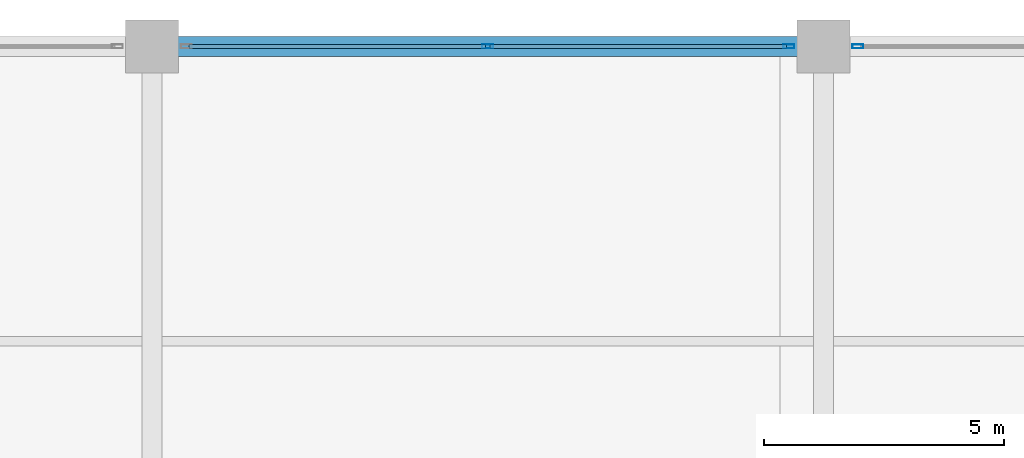
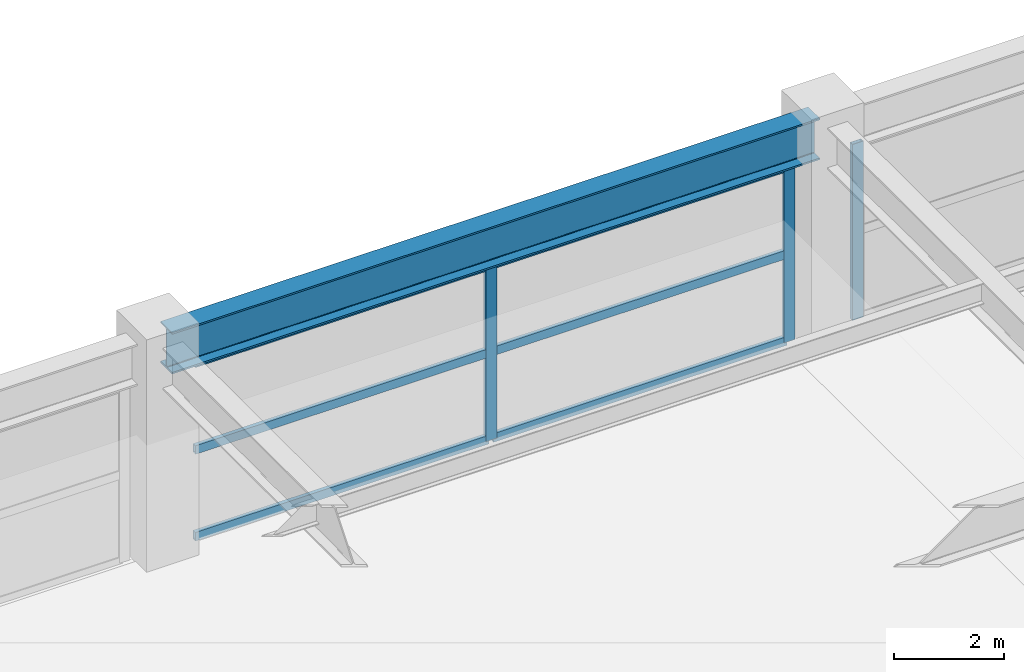
# One storey, part 27 of 35: 9 members, 1 beam, 2 elements without a shape of their own.
"""IFC4 building model written with IfcOpenShell, lengths in metres."""

from ifc_helpers import new_model, si_unit, direction, frame, origin, origin_2d, place, context, subcontext, project, spatial, hollow_rectangle, i_section, extrude, material, material_profile, profile_set, type_object, element, aggregate, save


model = new_model("IFC4")

# Units and contexts
model_context = context("Model", 3, precision=1e-05, world=origin(), true_north=direction((0.0, 1.0)))
body_context = subcontext(model_context, "Body", "Model", "MODEL_VIEW")
ifc_project = project(units=[si_unit("LENGTHUNIT", "METRE"), si_unit("AREAUNIT", "SQUARE_METRE"), si_unit("VOLUMEUNIT", "CUBIC_METRE"), si_unit("PLANEANGLEUNIT", "RADIAN"), si_unit("MASSUNIT", "GRAM", prefix="KILO")], contexts=[model_context])

# Site, building, storey
site_placement = place(None, origin())
site = spatial("IfcSite", under=ifc_project, at=site_placement, CompositionType="ELEMENT")
building_placement = place(site_placement, origin())
building = spatial("IfcBuilding", under=site, at=building_placement, Name="Kovane Verandah Tower", CompositionType="ELEMENT")
storey_placement = place(building_placement, frame((0.0, 0.0, 16.39990234375)))
storey = spatial("IfcBuildingStorey", under=building, at=storey_placement, Name="L03", CompositionType="ELEMENT", Elevation=16.39990234375)

# Beam
ifc_material_1 = material(Name="Steel S460", Category="steel")
ifc_material_profile_1 = material_profile(ifc_material_1, i_section(OverallWidth=0.42041015625, OverallDepth=0.9208984375, WebThickness=0.021484375, FlangeThickness=0.03662109375, FilletRadius=0.024169921875, at=origin_2d()), Name="UB914x419x388")
ifc_profile_set_1 = profile_set([ifc_material_profile_1], Name="Steel S460")
beam_type = type_object("IfcBeamType", Name="BM-UB914x388", PredefinedType="BEAM", material=ifc_profile_set_1)
beam_placement = place(storey_placement, frame((58.580078125, 56.5, 4.439697265625), z_axis=(1.0, 0.0, 0.0), x_axis=(0.0, 1.0, 0.0)))
element("IfcBeam", 1, at=beam_placement, inside=storey, type_object=beam_type, Name="L03 Podium Garden Transfer Girder X22", PredefinedType="BEAM", context=body_context, shape_type="SweptSolid", body=[
    extrude(i_section(OverallWidth=0.42041015625, OverallDepth=0.9208984375, WebThickness=0.021484375, FlangeThickness=0.03662109375, FilletRadius=0.024169921875, at=origin_2d()), origin(), (0.0, 0.0, 1.0), 13.639892578125),
])

# Curtain wall, members
ifc_material_2 = material(Name="Champagne Anodised Aluminium Frame with Low-E Clear Laminated Glass", Category="aluminium")
curtain_wall_type = type_object("IfcCurtainWallType", Name="CW-SYS-01-POD", PredefinedType="NOTDEFINED", material=ifc_material_2)
curtain_wall_1_placement = place(storey_placement, origin())
curtain_wall_1 = element("IfcCurtainWall", 2, at=curtain_wall_1_placement, inside=storey, type_object=curtain_wall_type, Name="L03 North Podium Curtain Wall Bay 6", PredefinedType="NOTDEFINED")
ifc_material_3 = material(Name="Champagne Anodised Aluminium 6063-T6", Category="aluminium")
ifc_material_profile_2 = material_profile(ifc_material_3, hollow_rectangle(XDim=0.0849609375, YDim=0.22998046875, WallThickness=0.00390625, at=origin_2d()), Name="AL85x230x4")
ifc_profile_set_2 = profile_set([ifc_material_profile_2], Name="Champagne Anodised Aluminium 6063-T6")
member_type_1 = type_object("IfcMemberType", Name="CW-MUL-85x230", PredefinedType="MULLION", material=ifc_profile_set_2)
member_1_placement = place(storey_placement, frame((71.679931640625, 56.5, 0.02001953125), z_axis=(0.0, 0.0, 1.0), x_axis=(0.0, 1.0, 0.0)))
member_1 = element("IfcMember", 3, at=member_1_placement, type_object=member_type_1, Name="L03 North Podium Curtain Wall Bay 6 Mullion 1", PredefinedType="MULLION", context=body_context, shape_type="SweptSolid", body=[
    extrude(hollow_rectangle(XDim=0.0849609375, YDim=0.22998046875, WallThickness=0.00390625, at=origin_2d()), origin(), (0.0, 0.0, 1.0), 3.919189453125),
])
member_2_placement = place(storey_placement, frame((65.39990234375, 56.5, 0.02001953125), z_axis=(0.0, 0.0, 1.0), x_axis=(0.0, 1.0, 0.0)))
member_2 = element("IfcMember", 4, at=member_2_placement, type_object=member_type_1, Name="L03 North Podium Curtain Wall Bay 6 Mullion 2", PredefinedType="MULLION", context=body_context, shape_type="SweptSolid", body=[
    extrude(hollow_rectangle(XDim=0.0849609375, YDim=0.22998046875, WallThickness=0.00390625, at=origin_2d()), origin(), (0.0, 0.0, 1.0), 3.919189453125),
])

# Curtain wall, member
curtain_wall_2_placement = place(storey_placement, origin())
curtain_wall_2 = element("IfcCurtainWall", 5, at=curtain_wall_2_placement, inside=storey, type_object=curtain_wall_type, Name="L03 North Podium Curtain Wall Bay 7", PredefinedType="NOTDEFINED")
member_3_placement = place(storey_placement, frame((73.1201171875, 56.5, 0.02001953125), z_axis=(0.0, 0.0, 1.0), x_axis=(0.0, 1.0, 0.0)))
member_3 = element("IfcMember", 6, at=member_3_placement, type_object=member_type_1, Name="L03 North Podium Curtain Wall Bay 7 Mullion 2", PredefinedType="MULLION", context=body_context, shape_type="SweptSolid", body=[
    extrude(hollow_rectangle(XDim=0.0849609375, YDim=0.22998046875, WallThickness=0.00390625, at=origin_2d()), origin(), (0.0, 0.0, 1.0), 3.919189453125),
])
aggregate(curtain_wall_2, [member_3])

# Member
ifc_material_profile_3 = material_profile(ifc_material_3, hollow_rectangle(XDim=0.0849609375, YDim=0.18994140625, WallThickness=0.00390625, at=origin_2d()), Name="AL85x190x4")
ifc_profile_set_3 = profile_set([ifc_material_profile_3], Name="Champagne Anodised Aluminium 6063-T6")
member_type_2 = type_object("IfcMemberType", Name="CW-TRN-85x190", PredefinedType="USERDEFINED", material=ifc_profile_set_3)
member_4_placement = place(storey_placement, frame((71.6298828125, 56.5, 0.050048828125), z_axis=(-1.0, 0.0, 0.0), x_axis=(0.0, -1.0, 0.0)))
member_4 = element("IfcMember", 7, at=member_4_placement, type_object=member_type_2, Name="L03 North Podium Curtain Wall Bay 6 Transom TB Bay 1", ObjectType="TRANSOM", PredefinedType="USERDEFINED", context=body_context, shape_type="SweptSolid", body=[
    extrude(hollow_rectangle(XDim=0.0849609375, YDim=0.18994140625, WallThickness=0.00390625, at=origin_2d()), origin(), (0.0, 0.0, 1.0), 6.179931640625),
])

member_5_placement = place(storey_placement, frame((71.6298828125, 56.5, 1.9794921875), z_axis=(-1.0, 0.0, 0.0), x_axis=(0.0, -1.0, 0.0)))
member_5 = element("IfcMember", 8, at=member_5_placement, type_object=member_type_2, Name="L03 North Podium Curtain Wall Bay 6 Transom TM Bay 1", ObjectType="TRANSOM", PredefinedType="USERDEFINED", context=body_context, shape_type="SweptSolid", body=[
    extrude(hollow_rectangle(XDim=0.0849609375, YDim=0.18994140625, WallThickness=0.00390625, at=origin_2d()), origin(), (0.0, 0.0, 1.0), 6.179931640625),
])

member_6_placement = place(storey_placement, frame((71.6298828125, 56.5, 3.9091796875), z_axis=(-1.0, 0.0, 0.0), x_axis=(0.0, -1.0, 0.0)))
member_6 = element("IfcMember", 9, at=member_6_placement, type_object=member_type_2, Name="L03 North Podium Curtain Wall Bay 6 Transom TT Bay 1", ObjectType="TRANSOM", PredefinedType="USERDEFINED", context=body_context, shape_type="SweptSolid", body=[
    extrude(hollow_rectangle(XDim=0.0849609375, YDim=0.18994140625, WallThickness=0.00390625, at=origin_2d()), origin(), (0.0, 0.0, 1.0), 6.179931640625),
])

member_7_placement = place(storey_placement, frame((65.35009765625, 56.5, 0.050048828125), z_axis=(-1.0, 0.0, 0.0), x_axis=(0.0, -1.0, 0.0)))
member_7 = element("IfcMember", 10, at=member_7_placement, type_object=member_type_2, Name="L03 North Podium Curtain Wall Bay 6 Transom TB Bay 2", ObjectType="TRANSOM", PredefinedType="USERDEFINED", context=body_context, shape_type="SweptSolid", body=[
    extrude(hollow_rectangle(XDim=0.0849609375, YDim=0.18994140625, WallThickness=0.00390625, at=origin_2d()), origin(), (0.0, 0.0, 1.0), 6.18017578125),
])

member_8_placement = place(storey_placement, frame((65.35009765625, 56.5, 1.9794921875), z_axis=(-1.0, 0.0, 0.0), x_axis=(0.0, -1.0, 0.0)))
member_8 = element("IfcMember", 11, at=member_8_placement, type_object=member_type_2, Name="L03 North Podium Curtain Wall Bay 6 Transom TM Bay 2", ObjectType="TRANSOM", PredefinedType="USERDEFINED", context=body_context, shape_type="SweptSolid", body=[
    extrude(hollow_rectangle(XDim=0.0849609375, YDim=0.18994140625, WallThickness=0.00390625, at=origin_2d()), origin(), (0.0, 0.0, 1.0), 6.18017578125),
])

member_9_placement = place(storey_placement, frame((65.35009765625, 56.5, 3.9091796875), z_axis=(-1.0, 0.0, 0.0), x_axis=(0.0, -1.0, 0.0)))
member_9 = element("IfcMember", 12, at=member_9_placement, type_object=member_type_2, Name="L03 North Podium Curtain Wall Bay 6 Transom TT Bay 2", ObjectType="TRANSOM", PredefinedType="USERDEFINED", context=body_context, shape_type="SweptSolid", body=[
    extrude(hollow_rectangle(XDim=0.0849609375, YDim=0.18994140625, WallThickness=0.00390625, at=origin_2d()), origin(), (0.0, 0.0, 1.0), 6.18017578125),
])

aggregate(curtain_wall_1, [member_1, member_2, member_4, member_5, member_6, member_7, member_8, member_9])

save(model, "model.ifc")
